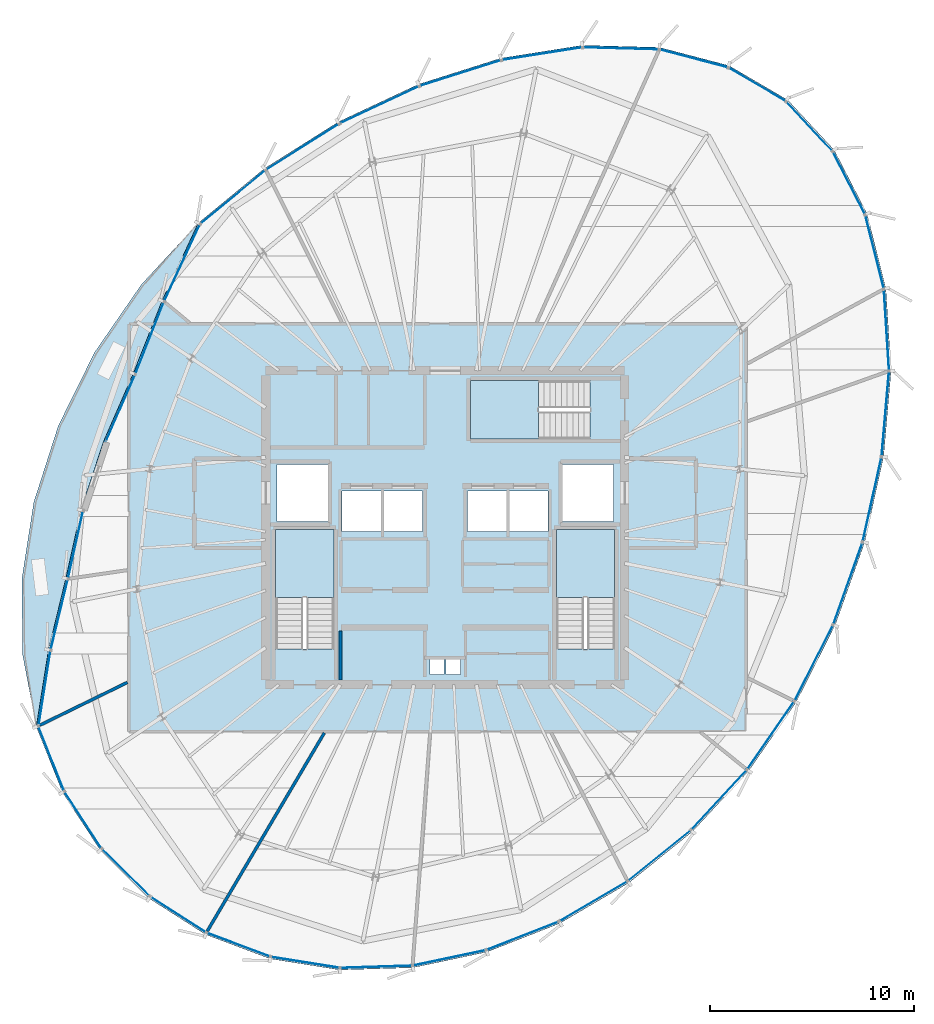
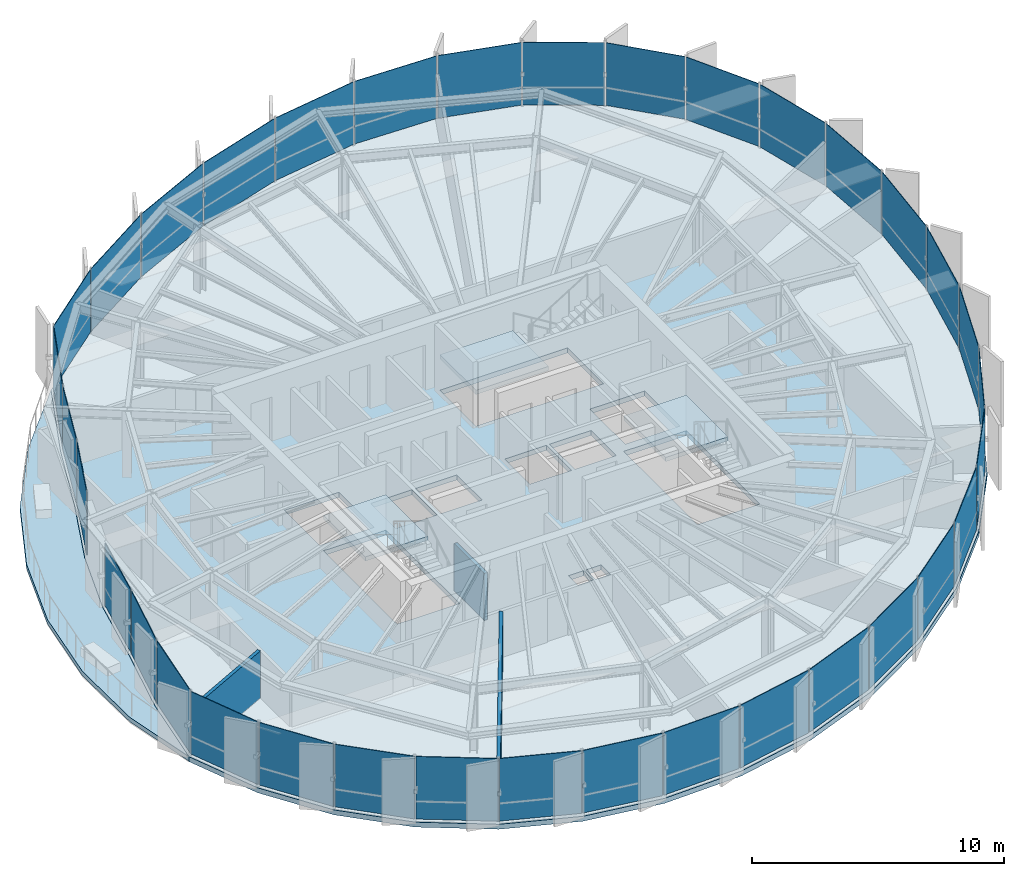
# One storey, part 28 of 36: 35 plates, 5 slabs, 3 walls, 9 elements without a shape of their own.
"""IFC4 building model written with IfcOpenShell, lengths in metres."""

from ifc_helpers import new_model, si_unit, direction, frame, frame_2d, origin, origin_2d, place, context, subcontext, project, spatial, polyline, rectangle, outline, extrude, source, transform, mapped, material, layer, layer_set, type_object, element, aggregate, save


model = new_model("IFC4")

# Units and contexts
model_context = context("Model", 3, precision=1e-05, world=origin(), true_north=direction((0.0, 1.0)))
body_context = subcontext(model_context, "Body", "Model", "MODEL_VIEW")
ifc_project = project(units=[si_unit("LENGTHUNIT", "METRE"), si_unit("AREAUNIT", "SQUARE_METRE"), si_unit("VOLUMEUNIT", "CUBIC_METRE"), si_unit("PLANEANGLEUNIT", "RADIAN"), si_unit("MASSUNIT", "GRAM", prefix="KILO"), si_unit("THERMODYNAMICTEMPERATUREUNIT", "KELVIN")], contexts=[model_context])

# Site, building, storey
site_placement = place(None, origin())
site = spatial("IfcSite", under=ifc_project, at=site_placement, CompositionType="ELEMENT")
building_placement = place(site_placement, origin())
building = spatial("IfcBuilding", under=site, at=building_placement, Name="Kethvar Cultural Tower", CompositionType="ELEMENT")
storey_placement = place(building_placement, frame((0.0, 0.0, 242.199951171875)))
storey = spatial("IfcBuildingStorey", under=building, at=storey_placement, Name="L63", CompositionType="ELEMENT", Elevation=242.199951171875)

# Stair, slab
ifc_material_1 = material(Name="Concrete C40/50", Category="concrete")
stair_type = type_object("IfcStairType", Name="ST-DOGLEG-135", PredefinedType="HALF_TURN_STAIR", material=ifc_material_1)
stair_1_placement = place(storey_placement, origin())
stair_1 = element("IfcStair", 1, at=stair_1_placement, inside=storey, type_object=stair_type, Name="L63 Core Exit Stair 1", PredefinedType="HALF_TURN_STAIR")
ifc_layer_1 = layer(ifc_material_1, 0.199951171875, Name="Concrete C40/50", Category="concrete")
ifc_layer_set_1 = layer_set([ifc_layer_1], Name="Concrete C40/50 (200 mm)")
slab_type_1 = type_object("IfcSlabType", Name="SL-STAIR-LANDING-200", PredefinedType="LANDING", material=ifc_layer_set_1)
slab_1_placement = place(storey_placement, frame((0.0, 0.0, 1.525146484375)))
slab_1 = element("IfcSlab", 2, at=slab_1_placement, type_object=slab_type_1, Name="ST-01 landing 1", PredefinedType="LANDING", context=body_context, shape_type="SweptSolid", body=[
    extrude(outline(polyline([(41.35009765625, 24.3701171875), (41.35009765625, 27.699951171875), (38.489990234375, 27.699951171875), (38.489990234375, 24.3701171875), (41.35009765625, 24.3701171875)])), origin(), (0.0, 0.0, 1.0), 0.199951171875),
])
aggregate(stair_1, [slab_1])

stair_2_placement = place(storey_placement, origin())
stair_2 = element("IfcStair", 3, at=stair_2_placement, inside=storey, type_object=stair_type, Name="L63 Core Exit Stair 2", PredefinedType="HALF_TURN_STAIR")
slab_2_placement = place(storey_placement, frame((0.0, 0.0, 1.525146484375)))
slab_2 = element("IfcSlab", 4, at=slab_2_placement, type_object=slab_type_1, Name="ST-02 landing 1", PredefinedType="LANDING", context=body_context, shape_type="SweptSolid", body=[
    extrude(outline(polyline([(55.110107421875, 24.3701171875), (55.110107421875, 27.699951171875), (52.25, 27.699951171875), (52.25, 24.3701171875), (55.110107421875, 24.3701171875)])), origin(), (0.0, 0.0, 1.0), 0.199951171875),
])
aggregate(stair_2, [slab_2])

stair_3_placement = place(storey_placement, origin())
stair_3 = element("IfcStair", 5, at=stair_3_placement, inside=storey, type_object=stair_type, Name="L63 Core Exit Stair 3", PredefinedType="HALF_TURN_STAIR")
slab_3_placement = place(storey_placement, frame((0.0, 0.0, 1.525146484375)))
slab_3 = element("IfcSlab", 6, at=slab_3_placement, type_object=slab_type_1, Name="ST-03 landing 1", PredefinedType="LANDING", context=body_context, shape_type="SweptSolid", body=[
    extrude(outline(polyline([(51.3798828125, 35.010009765625), (48.050048828125, 35.010009765625), (48.050048828125, 32.14990234375), (51.3798828125, 32.14990234375), (51.3798828125, 35.010009765625)])), origin(), (0.0, 0.0, 1.0), 0.199951171875),
])
aggregate(stair_3, [slab_3])

# Slabs
ifc_layer_2 = layer(ifc_material_1, 0.215087890625, Name="Concrete C40/50", Category="concrete")
ifc_layer_set_2 = layer_set([ifc_layer_2], Name="Concrete C40/50 (215 mm)")
slab_type_2 = type_object("IfcSlabType", Name="SL-TER-EXT", PredefinedType="FLOOR", material=ifc_layer_set_2)
slab_4_placement = place(storey_placement, frame((0.0, 0.0, -0.21484375)))
element("IfcSlab", 7, at=slab_4_placement, inside=storey, type_object=slab_type_2, Name="L63 Spiralling Sky Terrace Deck", PredefinedType="FLOOR", context=body_context, shape_type="SweptSolid", body=[
    extrude(outline(polyline([(34.692626953125, 42.735595703125), (31.91162109375, 39.727783203125), (29.611083984375, 36.392822265625), (27.8330078125, 32.796875), (26.631103515625, 29.049072265625), (26.042236328125, 25.26318359375), (26.083984375, 21.554443359375), (26.7548828125, 18.03564453125), (27.351318359375, 21.807861328125), (28.20361328125, 25.312255859375), (28.9541015625, 28.693603515625), (30.05908203125, 32.04345703125), (31.507568359375, 35.354736328125), (32.92041015625, 38.919677734375), (34.692626953125, 42.735595703125)])), origin(), (0.0, 0.0, 1.0), 0.21484375),
])
ifc_layer_3 = layer(ifc_material_1, 0.239990234375, Name="Concrete C40/50", Category="concrete")
ifc_layer_set_3 = layer_set([ifc_layer_3], Name="Concrete C40/50 (240 mm)")
slab_type_3 = type_object("IfcSlabType", Name="SL-TOW-240", PredefinedType="FLOOR", material=ifc_layer_set_3)
slab_5_placement = place(storey_placement, frame((0.0, 0.0, -0.239990234375)))
element("IfcSlab", 8, at=slab_5_placement, inside=storey, type_object=slab_type_3, Name="L63 Structural Floor Slab", PredefinedType="FLOOR", context=body_context, shape_type="SweptSolid", body=[
    extrude(outline(polyline([(63.60107421875, 48.77099609375), (60.710205078125, 50.4609375), (57.30712890625, 51.350830078125), (53.527587890625, 51.453125), (49.531982421875, 50.822509765625), (45.4931640625, 49.5419921875), (41.579345703125, 47.707275390625), (37.93994140625, 45.412353515625), (34.692626953125, 42.735595703125), (32.92041015625, 38.919677734375), (31.507568359375, 35.354736328125), (30.05908203125, 32.04345703125), (28.9541015625, 28.693603515625), (28.20361328125, 25.312255859375), (27.351318359375, 21.807861328125), (26.7548828125, 18.03564453125), (28.03515625, 14.813232421875), (29.885498046875, 11.985595703125), (32.25, 9.638427734375), (35.05615234375, 7.843017578125), (38.219482421875, 6.654296875), (41.643310546875, 6.107666015625), (45.22412109375, 6.220458984375), (48.8525390625, 6.98876953125), (52.418701171875, 8.389404296875), (55.814208984375, 10.3798828125), (58.935546875, 12.899658203125), (61.6884765625, 15.872314453125), (64.01708984375, 19.242431640625), (65.9208984375, 22.995361328125), (67.36669921875, 27.047607421875), (68.303466796875, 31.267578125), (68.672119140625, 35.488525390625), (68.416015625, 39.525390625), (67.491455078125, 43.191650390625), (65.880859375, 46.318359375), (63.60107421875, 48.77099609375)]), holes=[polyline([(38.489990234375, 21.85009765625), (38.489990234375, 27.699951171875), (41.35009765625, 27.699951171875), (41.35009765625, 21.85009765625), (38.489990234375, 21.85009765625)]), polyline([(52.25, 21.85009765625), (52.25, 27.699951171875), (55.110107421875, 27.699951171875), (55.110107421875, 21.85009765625), (52.25, 21.85009765625)]), polyline([(53.89990234375, 32.14990234375), (48.050048828125, 32.14990234375), (48.050048828125, 35.010009765625), (53.89990234375, 35.010009765625), (53.89990234375, 32.14990234375)]), polyline([(41.75, 29.60009765625), (43.64990234375, 29.60009765625), (43.64990234375, 27.60009765625), (41.75, 27.60009765625), (41.75, 29.60009765625)]), polyline([(43.800048828125, 29.60009765625), (45.699951171875, 29.60009765625), (45.699951171875, 27.60009765625), (43.800048828125, 27.60009765625), (43.800048828125, 29.60009765625)]), polyline([(47.89990234375, 29.60009765625), (49.800048828125, 29.60009765625), (49.800048828125, 27.60009765625), (47.89990234375, 27.60009765625), (47.89990234375, 29.60009765625)]), polyline([(49.949951171875, 29.60009765625), (51.85009765625, 29.60009765625), (51.85009765625, 27.60009765625), (49.949951171875, 27.60009765625), (49.949951171875, 29.60009765625)]), polyline([(38.550048828125, 30.89990234375), (41.050048828125, 30.89990234375), (41.050048828125, 28.10009765625), (38.550048828125, 28.10009765625), (38.550048828125, 30.89990234375)]), polyline([(52.550048828125, 30.89990234375), (55.050048828125, 30.89990234375), (55.050048828125, 28.10009765625), (52.550048828125, 28.10009765625), (52.550048828125, 30.89990234375)]), polyline([(46.050048828125, 21.35009765625), (46.75, 21.35009765625), (46.75, 20.60009765625), (46.050048828125, 20.60009765625), (46.050048828125, 21.35009765625)]), polyline([(46.85009765625, 21.35009765625), (47.550048828125, 21.35009765625), (47.550048828125, 20.60009765625), (46.85009765625, 20.60009765625), (46.85009765625, 21.35009765625)])]), origin(), (0.0, 0.0, 1.0), 0.239990234375),
])

# Curtain wall, plate
ifc_material_2 = material(Name="Aluminium 6063-T6", Category="aluminium")
ifc_layer_4 = layer(ifc_material_2, 0.179931640625, Name="Aluminium 6063-T6", Category="aluminium")
ifc_layer_set_4 = layer_set([ifc_layer_4], Name="Aluminium 6063-T6 (180 mm)")
curtain_wall_type = type_object("IfcCurtainWallType", Name="CW-SYS-05-Z56", PredefinedType="NOTDEFINED", material=ifc_layer_set_4)
curtain_wall_1_placement = place(storey_placement, origin())
curtain_wall_1 = element("IfcCurtainWall", 9, at=curtain_wall_1_placement, inside=storey, type_object=curtain_wall_type, Name="L63 Curtain Wall Run 01", PredefinedType="NOTDEFINED")
ifc_material_3 = material(Name="Insulated Low-E Solar Glass", Category="glass")
ifc_layer_5 = layer(ifc_material_3, 0.028076171875, Name="Insulated Low-E Solar Glass", Category="glass")
ifc_layer_set_5 = layer_set([ifc_layer_5], Name="Insulated Low-E Solar Glass (28 mm)")
plate_type = type_object("IfcPlateType", Name="CW-SYS-05-Z56-PNL", PredefinedType="CURTAIN_PANEL", material=ifc_layer_set_5)
shared_shape_1 = source(origin(), body_context, "Body", "SweptSolid", [
    extrude(rectangle(XDim=3.269287109375, YDim=0.028076171875, at=origin_2d()), origin(), (0.0, 0.0, 1.0), 3.030029296875),
])
plate_1_placement = place(storey_placement, frame((62.10498046875, 49.52978515625, 0.08984375), z_axis=(0.0, 0.0, 1.0), x_axis=(-0.863333904486, 0.504633103715, 0.0)))
plate_1 = element("IfcPlate", 10, at=plate_1_placement, type_object=plate_type, Name="CW-L63-R01 Vision Glazing Panel 1", PredefinedType="CURTAIN_PANEL", context=body_context, shape_type="MappedRepresentation", body=[
    mapped(shared_shape_1, transform((0.0, 0.0, 0.0), scale=1.0)),
])

curtain_wall_2_placement = place(storey_placement, origin())
curtain_wall_2 = element("IfcCurtainWall", 11, at=curtain_wall_2_placement, inside=storey, type_object=curtain_wall_type, Name="L63 Curtain Wall Run 06", PredefinedType="NOTDEFINED")
plate_2_placement = place(storey_placement, frame((64.667724609375, 47.4765625, 0.08984375), z_axis=(0.0, 0.0, 1.0), x_axis=(-0.680823144607, 0.732447845083, 0.0)))
plate_2 = element("IfcPlate", 12, at=plate_2_placement, type_object=plate_type, Name="CW-L63-R06 Vision Glazing Panel 6", PredefinedType="CURTAIN_PANEL", context=body_context, shape_type="MappedRepresentation", body=[
    mapped(shared_shape_1, transform((0.0, 0.0, 0.0), scale=1.0)),
])

# Plate
shared_shape_2 = source(origin(), body_context, "Body", "SweptSolid", [
    extrude(rectangle(XDim=3.43798828125, YDim=0.028076171875, at=origin_2d()), origin(), (0.0, 0.0, 1.0), 3.030029296875),
])
plate_3_placement = place(storey_placement, frame((58.9833984375, 50.80908203125, 0.08984375), z_axis=(0.0, 0.0, 1.0), x_axis=(-0.967466755449, 0.252998176081, 0.0)))
plate_3 = element("IfcPlate", 13, at=plate_3_placement, type_object=plate_type, Name="CW-L63-R01 Vision Glazing Panel 2", PredefinedType="CURTAIN_PANEL", context=body_context, shape_type="MappedRepresentation", body=[
    mapped(shared_shape_2, transform((0.0, 0.0, 0.0), scale=1.0)),
])

plate_4_placement = place(storey_placement, frame((66.597412109375, 44.709228515625, 0.08984375), z_axis=(0.0, 0.0, 1.0), x_axis=(-0.457935979106, 0.88898517369, 0.0)))
plate_4 = element("IfcPlate", 14, at=plate_4_placement, type_object=plate_type, Name="CW-L63-R06 Vision Glazing Panel 5", PredefinedType="CURTAIN_PANEL", context=body_context, shape_type="MappedRepresentation", body=[
    mapped(shared_shape_2, transform((0.0, 0.0, 0.0), scale=1.0)),
])

shared_shape_3 = source(origin(), body_context, "Body", "SweptSolid", [
    extrude(rectangle(XDim=3.701904296875, YDim=0.028076171875, at=origin_2d()), origin(), (0.0, 0.0, 1.0), 3.030029296875),
])
plate_5_placement = place(storey_placement, frame((55.414794921875, 51.302001953125, 0.08984375), z_axis=(0.0, 0.0, 1.0), x_axis=(-0.999633155833, 0.027084197612, 0.0)))
plate_5 = element("IfcPlate", 15, at=plate_5_placement, type_object=plate_type, Name="CW-L63-R01 Vision Glazing Panel 3", PredefinedType="CURTAIN_PANEL", context=body_context, shape_type="MappedRepresentation", body=[
    mapped(shared_shape_3, transform((0.0, 0.0, 0.0), scale=1.0)),
])

plate_6_placement = place(storey_placement, frame((67.856689453125, 41.333984375, 0.08984375), z_axis=(0.0, 0.0, 1.0), x_axis=(-0.24451206281, 0.969646250516, 0.0)))
plate_6 = element("IfcPlate", 16, at=plate_6_placement, type_object=plate_type, Name="CW-L63-R06 Vision Glazing Panel 4", PredefinedType="CURTAIN_PANEL", context=body_context, shape_type="MappedRepresentation", body=[
    mapped(shared_shape_3, transform((0.0, 0.0, 0.0), scale=1.0)),
])

shared_shape_4 = source(origin(), body_context, "Body", "SweptSolid", [
    extrude(rectangle(XDim=3.9658203125, YDim=0.028076171875, at=origin_2d()), origin(), (0.0, 0.0, 1.0), 3.030029296875),
])
plate_7_placement = place(storey_placement, frame((51.54541015625, 51.0390625, 0.08984375), z_axis=(0.0, 0.0, 1.0), x_axis=(-0.987772835215, -0.15590005135, 0.0)))
plate_7 = element("IfcPlate", 17, at=plate_7_placement, type_object=plate_type, Name="CW-L63-R01 Vision Glazing Panel 4", PredefinedType="CURTAIN_PANEL", context=body_context, shape_type="MappedRepresentation", body=[
    mapped(shared_shape_4, transform((0.0, 0.0, 0.0), scale=1.0)),
])

plate_8_placement = place(storey_placement, frame((68.4443359375, 37.50048828125, 0.08984375), z_axis=(0.0, 0.0, 1.0), x_axis=(-0.063330494738, 0.99799260941, 0.0)))
plate_8 = element("IfcPlate", 18, at=plate_8_placement, type_object=plate_type, Name="CW-L63-R06 Vision Glazing Panel 3", PredefinedType="CURTAIN_PANEL", context=body_context, shape_type="MappedRepresentation", body=[
    mapped(shared_shape_4, transform((0.0, 0.0, 0.0), scale=1.0)),
])

shared_shape_5 = source(origin(), body_context, "Body", "SweptSolid", [
    extrude(rectangle(XDim=4.157958984375, YDim=0.028076171875, at=origin_2d()), origin(), (0.0, 0.0, 1.0), 3.030029296875),
])
plate_9_placement = place(storey_placement, frame((47.54296875, 50.0869140625, 0.08984375), z_axis=(0.0, 0.0, 1.0), x_axis=(-0.953232877303, -0.302236797279, 0.0)))
plate_9 = element("IfcPlate", 19, at=plate_9_placement, type_object=plate_type, Name="CW-L63-R01 Vision Glazing Panel 5", PredefinedType="CURTAIN_PANEL", context=body_context, shape_type="MappedRepresentation", body=[
    mapped(shared_shape_5, transform((0.0, 0.0, 0.0), scale=1.0)),
])

plate_10_placement = place(storey_placement, frame((68.38818359375, 33.38671875, 0.08984375), z_axis=(0.0, 0.0, 1.0), x_axis=(0.087034033955, 0.99620533874, 0.0)))
plate_10 = element("IfcPlate", 20, at=plate_10_placement, type_object=plate_type, Name="CW-L63-R06 Vision Glazing Panel 2", PredefinedType="CURTAIN_PANEL", context=body_context, shape_type="MappedRepresentation", body=[
    mapped(shared_shape_5, transform((0.0, 0.0, 0.0), scale=1.0)),
])

shared_shape_6 = source(origin(), body_context, "Body", "SweptSolid", [
    extrude(rectangle(XDim=4.243408203125, YDim=0.028076171875, at=origin_2d()), origin(), (0.0, 0.0, 1.0), 3.030029296875),
])
plate_11_placement = place(storey_placement, frame((43.57861328125, 48.5341796875, 0.08984375), z_axis=(0.0, 0.0, 1.0), x_axis=(-0.90544289665, -0.424468091741, 0.0)))
plate_11 = element("IfcPlate", 21, at=plate_11_placement, type_object=plate_type, Name="CW-L63-R01 Vision Glazing Panel 6", PredefinedType="CURTAIN_PANEL", context=body_context, shape_type="MappedRepresentation", body=[
    mapped(shared_shape_6, transform((0.0, 0.0, 0.0), scale=1.0)),
])

aggregate(curtain_wall_1, [plate_1, plate_3, plate_5, plate_7, plate_9, plate_11])

plate_12_placement = place(storey_placement, frame((67.7373046875, 29.17919921875, 0.08984375), z_axis=(0.0, 0.0, 1.0), x_axis=(0.216695200215, 0.976239309905, 0.0)))
plate_12 = element("IfcPlate", 22, at=plate_12_placement, type_object=plate_type, Name="CW-L63-R06 Vision Glazing Panel 1", PredefinedType="CURTAIN_PANEL", context=body_context, shape_type="MappedRepresentation", body=[
    mapped(shared_shape_6, transform((0.0, 0.0, 0.0), scale=1.0)),
])

aggregate(curtain_wall_2, [plate_12, plate_10, plate_8, plate_6, plate_4, plate_2])

# Curtain wall, plate
curtain_wall_3_placement = place(storey_placement, origin())
curtain_wall_3 = element("IfcCurtainWall", 23, at=curtain_wall_3_placement, inside=storey, type_object=curtain_wall_type, Name="L63 Curtain Wall Run 02", PredefinedType="NOTDEFINED")
shared_shape_7 = source(origin(), body_context, "Body", "SweptSolid", [
    extrude(rectangle(XDim=4.223388671875, YDim=0.028076171875, at=origin_2d()), origin(), (0.0, 0.0, 1.0), 3.030029296875),
])
plate_13_placement = place(storey_placement, frame((39.81298828125, 46.47509765625, 0.08984375), z_axis=(0.0, 0.0, 1.0), x_axis=(-0.84587680201, -0.533378323351, 0.0)))
plate_13 = element("IfcPlate", 24, at=plate_13_placement, type_object=plate_type, Name="CW-L63-R02 Vision Glazing Panel 1", PredefinedType="CURTAIN_PANEL", context=body_context, shape_type="MappedRepresentation", body=[
    mapped(shared_shape_7, transform((0.0, 0.0, 0.0), scale=1.0)),
])

curtain_wall_4_placement = place(storey_placement, origin())
curtain_wall_4 = element("IfcCurtainWall", 25, at=curtain_wall_4_placement, inside=storey, type_object=curtain_wall_type, Name="L63 Curtain Wall Run 05", PredefinedType="NOTDEFINED")
plate_14_placement = place(storey_placement, frame((66.549560546875, 25.05517578125, 0.08984375), z_axis=(0.0, 0.0, 1.0), x_axis=(0.33604341565, 0.941846496409, 0.0)))
plate_14 = element("IfcPlate", 26, at=plate_14_placement, type_object=plate_type, Name="CW-L63-R05 Vision Glazing Panel 6", PredefinedType="CURTAIN_PANEL", context=body_context, shape_type="MappedRepresentation", body=[
    mapped(shared_shape_7, transform((0.0, 0.0, 0.0), scale=1.0)),
])

# Plate
shared_shape_8 = source(origin(), body_context, "Body", "SweptSolid", [
    extrude(rectangle(XDim=4.12890625, YDim=0.028076171875, at=origin_2d()), origin(), (0.0, 0.0, 1.0), 3.030029296875),
])
plate_15_placement = place(storey_placement, frame((36.3798828125, 43.996826171875, 0.08984375), z_axis=(0.0, 0.0, 1.0), x_axis=(-0.771646786236, -0.636051285111, 0.0)))
plate_15 = element("IfcPlate", 27, at=plate_15_placement, type_object=plate_type, Name="CW-L63-R02 Vision Glazing Panel 2", PredefinedType="CURTAIN_PANEL", context=body_context, shape_type="MappedRepresentation", body=[
    mapped(shared_shape_8, transform((0.0, 0.0, 0.0), scale=1.0)),
])

plate_16_placement = place(storey_placement, frame((64.8798828125, 21.1640625, 0.08984375), z_axis=(0.0, 0.0, 1.0), x_axis=(0.45240357943, 0.891813322013, 0.0)))
plate_16 = element("IfcPlate", 28, at=plate_16_placement, type_object=plate_type, Name="CW-L63-R05 Vision Glazing Panel 5", PredefinedType="CURTAIN_PANEL", context=body_context, shape_type="MappedRepresentation", body=[
    mapped(shared_shape_8, transform((0.0, 0.0, 0.0), scale=1.0)),
])

shared_shape_9 = source(origin(), body_context, "Body", "SweptSolid", [
    extrude(rectangle(XDim=4.12841796875, YDim=0.028076171875, at=origin_2d()), origin(), (0.0, 0.0, 1.0), 3.030029296875),
])
plate_17_placement = place(storey_placement, frame((33.897216796875, 40.78564453125, 0.08984375), z_axis=(0.0, 0.0, 1.0), x_axis=(-0.421241604287, -0.906948460949, 0.0)))
plate_17 = element("IfcPlate", 29, at=plate_17_placement, type_object=plate_type, Name="CW-L63-R02 Vision Glazing Panel 3", PredefinedType="CURTAIN_PANEL", context=body_context, shape_type="MappedRepresentation", body=[
    mapped(shared_shape_9, transform((0.0, 0.0, 0.0), scale=1.0)),
])

shared_shape_10 = source(origin(), body_context, "Body", "SweptSolid", [
    extrude(rectangle(XDim=3.75537109375, YDim=0.028076171875, at=origin_2d()), origin(), (0.0, 0.0, 1.0), 3.030029296875),
])
plate_18_placement = place(storey_placement, frame((32.306884765625, 37.100341796875, 0.08984375), z_axis=(0.0, 0.0, 1.0), x_axis=(-0.368400406714, -0.92966722021, 0.0)))
plate_18 = element("IfcPlate", 30, at=plate_18_placement, type_object=plate_type, Name="CW-L63-R02 Vision Glazing Panel 4", PredefinedType="CURTAIN_PANEL", context=body_context, shape_type="MappedRepresentation", body=[
    mapped(shared_shape_10, transform((0.0, 0.0, 0.0), scale=1.0)),
])

shared_shape_11 = source(origin(), body_context, "Body", "SweptSolid", [
    extrude(rectangle(XDim=3.534912109375, YDim=0.028076171875, at=origin_2d()), origin(), (0.0, 0.0, 1.0), 3.030029296875),
])
plate_19_placement = place(storey_placement, frame((30.875, 33.658935546875, 0.08984375), z_axis=(0.0, 0.0, 1.0), x_axis=(-0.400796804043, -0.916166972701, 0.0)))
plate_19 = element("IfcPlate", 31, at=plate_19_placement, type_object=plate_type, Name="CW-L63-R02 Vision Glazing Panel 5", PredefinedType="CURTAIN_PANEL", context=body_context, shape_type="MappedRepresentation", body=[
    mapped(shared_shape_11, transform((0.0, 0.0, 0.0), scale=1.0)),
])

aggregate(curtain_wall_3, [plate_13, plate_15, plate_17, plate_18, plate_19])

# Curtain wall, plates
curtain_wall_5_placement = place(storey_placement, origin())
curtain_wall_5 = element("IfcCurtainWall", 32, at=curtain_wall_5_placement, inside=storey, type_object=curtain_wall_type, Name="L63 Curtain Wall Run 03", PredefinedType="NOTDEFINED")
shared_shape_12 = source(origin(), body_context, "Body", "SweptSolid", [
    extrude(rectangle(XDim=3.384521484375, YDim=0.028076171875, at=origin_2d()), origin(), (0.0, 0.0, 1.0), 3.030029296875),
])
plate_20_placement = place(storey_placement, frame((28.676513671875, 26.981201171875, 0.08984375), z_axis=(0.0, 0.0, 1.0), x_axis=(-0.216712238772, -0.976235527712, 0.0)))
plate_20 = element("IfcPlate", 33, at=plate_20_placement, type_object=plate_type, Name="CW-L63-R03 Vision Glazing Panel 1", PredefinedType="CURTAIN_PANEL", context=body_context, shape_type="MappedRepresentation", body=[
    mapped(shared_shape_12, transform((0.0, 0.0, 0.0), scale=1.0)),
])
shared_shape_13 = source(origin(), body_context, "Body", "SweptSolid", [
    extrude(rectangle(XDim=3.527587890625, YDim=0.028076171875, at=origin_2d()), origin(), (0.0, 0.0, 1.0), 3.030029296875),
])
plate_21_placement = place(storey_placement, frame((27.87451171875, 23.536376953125, 0.08984375), z_axis=(0.0, 0.0, 1.0), x_axis=(-0.236312452765, -0.971677119556, 0.0)))
plate_21 = element("IfcPlate", 34, at=plate_21_placement, type_object=plate_type, Name="CW-L63-R03 Vision Glazing Panel 2", PredefinedType="CURTAIN_PANEL", context=body_context, shape_type="MappedRepresentation", body=[
    mapped(shared_shape_13, transform((0.0, 0.0, 0.0), scale=1.0)),
])
shared_shape_14 = source(origin(), body_context, "Body", "SweptSolid", [
    extrude(rectangle(XDim=3.739990234375, YDim=0.028076171875, at=origin_2d()), origin(), (0.0, 0.0, 1.0), 3.030029296875),
])
plate_22_placement = place(storey_placement, frame((27.15185546875, 19.906005859375, 0.08984375), z_axis=(0.0, 0.0, 1.0), x_axis=(-0.156141405129, -0.987734712159, 0.0)))
plate_22 = element("IfcPlate", 35, at=plate_22_placement, type_object=plate_type, Name="CW-L63-R03 Vision Glazing Panel 3", PredefinedType="CURTAIN_PANEL", context=body_context, shape_type="MappedRepresentation", body=[
    mapped(shared_shape_14, transform((0.0, 0.0, 0.0), scale=1.0)),
])
shared_shape_15 = source(origin(), body_context, "Body", "SweptSolid", [
    extrude(rectangle(XDim=3.38818359375, YDim=0.028076171875, at=origin_2d()), origin(), (0.0, 0.0, 1.0), 3.030029296875),
])
plate_23_placement = place(storey_placement, frame((27.488037109375, 16.461181640625, 0.08984375), z_axis=(0.0, 0.0, 1.0), x_axis=(0.369227774112, -0.929338932158, 0.0)))
plate_23 = element("IfcPlate", 36, at=plate_23_placement, type_object=plate_type, Name="CW-L63-R03 Vision Glazing Panel 4", PredefinedType="CURTAIN_PANEL", context=body_context, shape_type="MappedRepresentation", body=[
    mapped(shared_shape_15, transform((0.0, 0.0, 0.0), scale=1.0)),
])
shared_shape_16 = source(origin(), body_context, "Body", "SweptSolid", [
    extrude(rectangle(XDim=3.300048828125, YDim=0.028076171875, at=origin_2d()), origin(), (0.0, 0.0, 1.0), 3.030029296875),
])
plate_24_placement = place(storey_placement, frame((29.044189453125, 13.4541015625, 0.08984375), z_axis=(0.0, 0.0, 1.0), x_axis=(0.547563223493, -0.836764313459, 0.0)))
plate_24 = element("IfcPlate", 37, at=plate_24_placement, type_object=plate_type, Name="CW-L63-R03 Vision Glazing Panel 5", PredefinedType="CURTAIN_PANEL", context=body_context, shape_type="MappedRepresentation", body=[
    mapped(shared_shape_16, transform((0.0, 0.0, 0.0), scale=1.0)),
])
shared_shape_17 = source(origin(), body_context, "Body", "SweptSolid", [
    extrude(rectangle(XDim=3.252197265625, YDim=0.028076171875, at=origin_2d()), origin(), (0.0, 0.0, 1.0), 3.030029296875),
])
plate_25_placement = place(storey_placement, frame((31.13818359375, 10.883056640625, 0.08984375), z_axis=(0.0, 0.0, 1.0), x_axis=(0.709681411465, -0.70452274216, 0.0)))
plate_25 = element("IfcPlate", 38, at=plate_25_placement, type_object=plate_type, Name="CW-L63-R03 Vision Glazing Panel 6", PredefinedType="CURTAIN_PANEL", context=body_context, shape_type="MappedRepresentation", body=[
    mapped(shared_shape_17, transform((0.0, 0.0, 0.0), scale=1.0)),
])
aggregate(curtain_wall_5, [plate_20, plate_21, plate_22, plate_23, plate_24, plate_25])

curtain_wall_6_placement = place(storey_placement, origin())
curtain_wall_6 = element("IfcCurtainWall", 39, at=curtain_wall_6_placement, inside=storey, type_object=curtain_wall_type, Name="L63 Curtain Wall Run 04", PredefinedType="NOTDEFINED")
plate_26_placement = place(storey_placement, frame((33.706787109375, 8.824951171875, 0.08984375), z_axis=(0.0, 0.0, 1.0), x_axis=(0.842358350935, -0.538917812481, 0.0)))
plate_26 = element("IfcPlate", 40, at=plate_26_placement, type_object=plate_type, Name="CW-L63-R04 Vision Glazing Panel 1", PredefinedType="CURTAIN_PANEL", context=body_context, shape_type="MappedRepresentation", body=[
    mapped(shared_shape_17, transform((0.0, 0.0, 0.0), scale=1.0)),
])
shared_shape_18 = source(origin(), body_context, "Body", "SweptSolid", [
    extrude(rectangle(XDim=3.30029296875, YDim=0.028076171875, at=origin_2d()), origin(), (0.0, 0.0, 1.0), 3.030029296875),
])
plate_27_placement = place(storey_placement, frame((36.673095703125, 7.34228515625, 0.08984375), z_axis=(0.0, 0.0, 1.0), x_axis=(0.936071816759, -0.351808973549, 0.0)))
plate_27 = element("IfcPlate", 41, at=plate_27_placement, type_object=plate_type, Name="CW-L63-R04 Vision Glazing Panel 2", PredefinedType="CURTAIN_PANEL", context=body_context, shape_type="MappedRepresentation", body=[
    mapped(shared_shape_18, transform((0.0, 0.0, 0.0), scale=1.0)),
])
shared_shape_19 = source(origin(), body_context, "Body", "SweptSolid", [
    extrude(rectangle(XDim=3.387939453125, YDim=0.028076171875, at=origin_2d()), origin(), (0.0, 0.0, 1.0), 3.030029296875),
])
plate_28_placement = place(storey_placement, frame((39.947265625, 6.479736328125, 0.08984375), z_axis=(0.0, 0.0, 1.0), x_axis=(0.98749923397, -0.157623801849, 0.0)))
plate_28 = element("IfcPlate", 42, at=plate_28_placement, type_object=plate_type, Name="CW-L63-R04 Vision Glazing Panel 3", PredefinedType="CURTAIN_PANEL", context=body_context, shape_type="MappedRepresentation", body=[
    mapped(shared_shape_19, transform((0.0, 0.0, 0.0), scale=1.0)),
])
shared_shape_20 = source(origin(), body_context, "Body", "SweptSolid", [
    extrude(rectangle(XDim=3.503173828125, YDim=0.028076171875, at=origin_2d()), origin(), (0.0, 0.0, 1.0), 3.030029296875),
])
plate_29_placement = place(storey_placement, frame((43.430419921875, 6.263916015625, 0.08984375), z_axis=(0.0, 0.0, 1.0), x_axis=(0.999504914332, 0.031463093076, 0.0)))
plate_29 = element("IfcPlate", 43, at=plate_29_placement, type_object=plate_type, Name="CW-L63-R04 Vision Glazing Panel 4", PredefinedType="CURTAIN_PANEL", context=body_context, shape_type="MappedRepresentation", body=[
    mapped(shared_shape_20, transform((0.0, 0.0, 0.0), scale=1.0)),
])
shared_shape_21 = source(origin(), body_context, "Body", "SweptSolid", [
    extrude(rectangle(XDim=3.629638671875, YDim=0.028076171875, at=origin_2d()), origin(), (0.0, 0.0, 1.0), 3.030029296875),
])
plate_30_placement = place(storey_placement, frame((47.017578125, 6.702392578125, 0.08984375), z_axis=(0.0, 0.0, 1.0), x_axis=(0.978310592492, 0.207143391442, 0.0)))
plate_30 = element("IfcPlate", 44, at=plate_30_placement, type_object=plate_type, Name="CW-L63-R04 Vision Glazing Panel 5", PredefinedType="CURTAIN_PANEL", context=body_context, shape_type="MappedRepresentation", body=[
    mapped(shared_shape_21, transform((0.0, 0.0, 0.0), scale=1.0)),
])
shared_shape_22 = source(origin(), body_context, "Body", "SweptSolid", [
    extrude(rectangle(XDim=3.752197265625, YDim=0.028076171875, at=origin_2d()), origin(), (0.0, 0.0, 1.0), 3.030029296875),
])
plate_31_placement = place(storey_placement, frame((50.59912109375, 7.781982421875, 0.08984375), z_axis=(0.0, 0.0, 1.0), x_axis=(0.930775336095, 0.365591676215, 0.0)))
plate_31 = element("IfcPlate", 45, at=plate_31_placement, type_object=plate_type, Name="CW-L63-R04 Vision Glazing Panel 6", PredefinedType="CURTAIN_PANEL", context=body_context, shape_type="MappedRepresentation", body=[
    mapped(shared_shape_22, transform((0.0, 0.0, 0.0), scale=1.0)),
])
aggregate(curtain_wall_6, [plate_26, plate_27, plate_28, plate_29, plate_30, plate_31])

# Plate
shared_shape_23 = source(origin(), body_context, "Body", "SweptSolid", [
    extrude(rectangle(XDim=3.856689453125, YDim=0.028076171875, at=origin_2d()), origin(), (0.0, 0.0, 1.0), 3.030029296875),
])
plate_32_placement = place(storey_placement, frame((54.06591796875, 9.470947265625, 0.08984375), z_axis=(0.0, 0.0, 1.0), x_axis=(0.862690255763, 0.505732659231, 0.0)))
plate_32 = element("IfcPlate", 46, at=plate_32_placement, type_object=plate_type, Name="CW-L63-R05 Vision Glazing Panel 1", PredefinedType="CURTAIN_PANEL", context=body_context, shape_type="MappedRepresentation", body=[
    mapped(shared_shape_23, transform((0.0, 0.0, 0.0), scale=1.0)),
])

shared_shape_24 = source(origin(), body_context, "Body", "SweptSolid", [
    extrude(rectangle(XDim=3.932373046875, YDim=0.028076171875, at=origin_2d()), origin(), (0.0, 0.0, 1.0), 3.030029296875),
])
plate_33_placement = place(storey_placement, frame((57.31201171875, 11.717529296875, 0.08984375), z_axis=(0.0, 0.0, 1.0), x_axis=(0.778111611183, 0.628126038739, 0.0)))
plate_33 = element("IfcPlate", 47, at=plate_33_placement, type_object=plate_type, Name="CW-L63-R05 Vision Glazing Panel 2", PredefinedType="CURTAIN_PANEL", context=body_context, shape_type="MappedRepresentation", body=[
    mapped(shared_shape_24, transform((0.0, 0.0, 0.0), scale=1.0)),
])

shared_shape_25 = source(origin(), body_context, "Body", "SweptSolid", [
    extrude(rectangle(XDim=3.97216796875, YDim=0.028076171875, at=origin_2d()), origin(), (0.0, 0.0, 1.0), 3.030029296875),
])
plate_34_placement = place(storey_placement, frame((60.238525390625, 14.453857421875, 0.08984375), z_axis=(0.0, 0.0, 1.0), x_axis=(0.679466915851, 0.73370614708, 0.0)))
plate_34 = element("IfcPlate", 48, at=plate_34_placement, type_object=plate_type, Name="CW-L63-R05 Vision Glazing Panel 3", PredefinedType="CURTAIN_PANEL", context=body_context, shape_type="MappedRepresentation", body=[
    mapped(shared_shape_25, transform((0.0, 0.0, 0.0), scale=1.0)),
])

shared_shape_26 = source(origin(), body_context, "Body", "SweptSolid", [
    extrude(rectangle(XDim=4.017333984375, YDim=0.028076171875, at=origin_2d()), origin(), (0.0, 0.0, 1.0), 3.030029296875),
])
plate_35_placement = place(storey_placement, frame((62.7705078125, 17.6142578125, 0.08984375), z_axis=(0.0, 0.0, 1.0), x_axis=(0.568461341992, 0.822709974815, 0.0)))
plate_35 = element("IfcPlate", 49, at=plate_35_placement, type_object=plate_type, Name="CW-L63-R05 Vision Glazing Panel 4", PredefinedType="CURTAIN_PANEL", context=body_context, shape_type="MappedRepresentation", body=[
    mapped(shared_shape_26, transform((0.0, 0.0, 0.0), scale=1.0)),
])

aggregate(curtain_wall_4, [plate_32, plate_33, plate_34, plate_35, plate_16, plate_14])

# Walls
ifc_material_4 = material(Name="Gypsum Fireboard Partition")
ifc_layer_6 = layer(ifc_material_4, 0.14990234375, Name="Gypsum Fireboard Partition")
ifc_layer_set_6 = layer_set([ifc_layer_6], Name="Gypsum Fireboard Partition (150 mm)")
wall_type_1 = type_object("IfcWallType", Name="WL-FIRE-150", PredefinedType="PARTITIONING", material=ifc_layer_set_6)
wall_1_placement = place(storey_placement, frame((41.679931640625, 20.3349609375, 0.0), z_axis=(0.0, 0.0, 1.0), x_axis=(0.0, 1.0, 0.0)))
element("IfcWall", 50, at=wall_1_placement, inside=storey, type_object=wall_type_1, Name="L63 Reclaimed West Outer Wall", PredefinedType="PARTITIONING", context=body_context, shape_type="SweptSolid", body=[
    extrude(rectangle(XDim=2.39501953125, YDim=0.14990234375, at=frame_2d((1.197509765625, 0.0))), origin(), (0.0, 0.0, 1.0), 2.280029296875),
])
ifc_material_5 = material(Name="Gypsum Acoustic Partition")
ifc_layer_7 = layer(ifc_material_5, 0.14990234375, Name="Gypsum Acoustic Partition")
ifc_layer_set_7 = layer_set([ifc_layer_7], Name="Gypsum Acoustic Partition (150 mm)")
wall_type_2 = type_object("IfcWallType", Name="WL-PART-150", PredefinedType="PARTITIONING", material=ifc_layer_set_7)
wall_2_placement = place(storey_placement, frame((31.218017578125, 20.209716796875, 0.0), z_axis=(0.0, 0.0, 1.0), x_axis=(-0.898329656066, -0.439322010639, 0.0)))
element("IfcWall", 51, at=wall_2_placement, inside=storey, type_object=wall_type_2, Name="L63 Radial Partition Wall 02", PredefinedType="PARTITIONING", context=body_context, shape_type="SweptSolid", body=[
    extrude(rectangle(XDim=4.774658203125, YDim=0.14990234375, at=frame_2d((2.38720703125, 0.0))), origin(), (0.0, 0.0, 1.0), 2.280029296875),
])
wall_3_placement = place(storey_placement, frame((40.87890625, 17.738037109375, 0.0), z_axis=(0.0, 0.0, 1.0), x_axis=(-0.508451772363, -0.861090468639, 0.0)))
element("IfcWall", 52, at=wall_3_placement, inside=storey, type_object=wall_type_2, Name="L63 Radial Partition Wall 03", PredefinedType="PARTITIONING", context=body_context, shape_type="SweptSolid", body=[
    extrude(rectangle(XDim=11.29248046875, YDim=0.14990234375, at=frame_2d((5.646240234375, 0.0))), origin(), (0.0, 0.0, 1.0), 2.280029296875),
])

save(model, "model.ifc")
